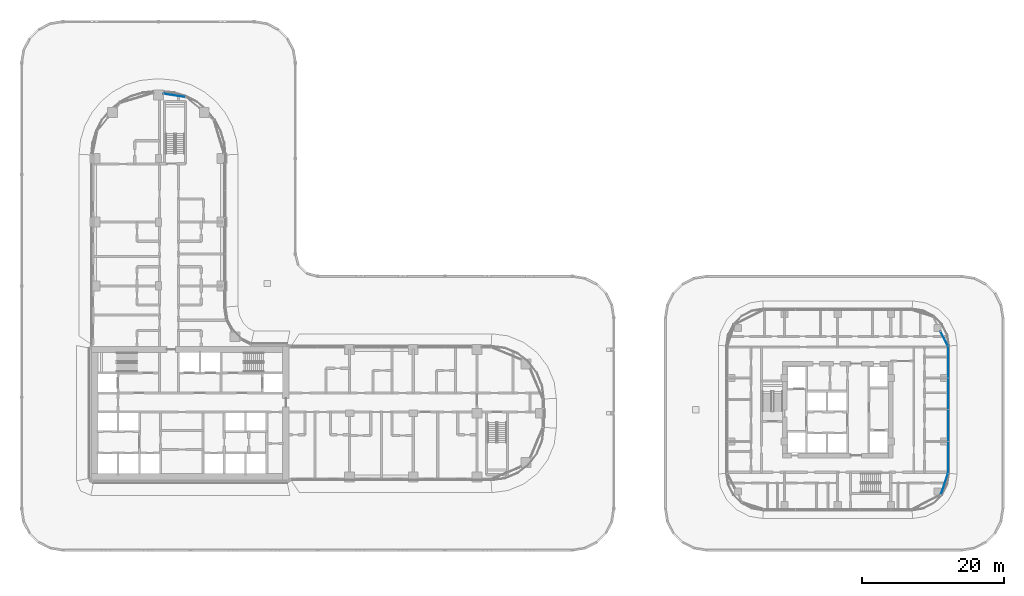
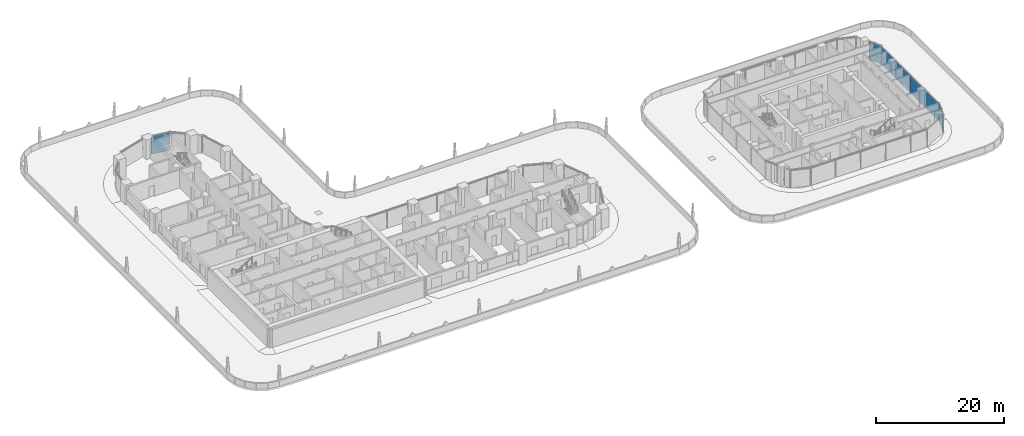
# One storey, part 19 of 51: 7 plates, 4 elements without a shape of their own.
"""IFC4 building model written with IfcOpenShell, lengths in metres."""

from ifc_helpers import new_model, si_unit, direction, frame, origin, origin_2d, place, context, subcontext, project, spatial, rectangle, extrude, material, layer, layer_set, type_object, element, aggregate, save


model = new_model("IFC4")

# Units and contexts
model_context = context("Model", 3, precision=1e-05, world=origin(), true_north=direction((0.0, 1.0)))
body_context = subcontext(model_context, "Body", "Model", "MODEL_VIEW")
ifc_project = project(units=[si_unit("LENGTHUNIT", "METRE"), si_unit("AREAUNIT", "SQUARE_METRE"), si_unit("VOLUMEUNIT", "CUBIC_METRE"), si_unit("PLANEANGLEUNIT", "RADIAN"), si_unit("MASSUNIT", "GRAM", prefix="KILO")], contexts=[model_context])

# Site, building, storey
site_placement = place(None, origin())
site = spatial("IfcSite", under=ifc_project, at=site_placement, CompositionType="ELEMENT")
building_placement = place(site_placement, origin())
building = spatial("IfcBuilding", under=site, at=building_placement, Name="Ogive Portal Towers", CompositionType="ELEMENT")
storey_placement = place(building_placement, frame((0.0, 0.0, 33.5)))
storey = spatial("IfcBuildingStorey", under=building, at=storey_placement, Name="L06", CompositionType="ELEMENT", Elevation=33.5)

# Curtain wall, plate
ifc_material = material(Name="Glass, clear low-iron insulated glazing", Category="glass")
curtain_wall_type_1 = type_object("IfcCurtainWallType", Name="CW FRONT RIBBON 4500", PredefinedType="NOTDEFINED", material=ifc_material)
curtain_wall_1_placement = place(storey_placement, origin())
curtain_wall_1 = element("IfcCurtainWall", 1, at=curtain_wall_1_placement, inside=storey, type_object=curtain_wall_type_1, Name="A:L06:f07:cwa~1", PredefinedType="NOTDEFINED")
ifc_layer = layer(ifc_material, 0.028076171875)
ifc_layer_set = layer_set([ifc_layer], Name="CW PANEL IGU 28")
plate_type = type_object("IfcPlateType", Name="CW PANEL IGU 28", PredefinedType="CURTAIN_PANEL", material=ifc_layer_set)
plate_1_placement = place(storey_placement, frame((42.790771484375, 75.41455078125, 0.0), z_axis=(0.0, 0.0, 1.0), x_axis=(-0.988369166731, 0.15207363432, 0.0)))
plate_1 = element("IfcPlate", 2, at=plate_1_placement, type_object=plate_type, Name="panel", PredefinedType="CURTAIN_PANEL", context=body_context, shape_type="SweptSolid", body=[
    extrude(rectangle(XDim=3.1591796875, YDim=0.028076171875, at=origin_2d()), origin(), (0.0, 0.0, 1.0), 3.340087890625),
])
aggregate(curtain_wall_1, [plate_1])

# Curtain wall, plates
curtain_wall_type_2 = type_object("IfcCurtainWallType", Name="CW RESIDENCES RIBBON", PredefinedType="NOTDEFINED", material=ifc_material)
curtain_wall_2_placement = place(storey_placement, origin())
curtain_wall_2 = element("IfcCurtainWall", 3, at=curtain_wall_2_placement, inside=storey, type_object=curtain_wall_type_2, Name="B:L06:f05:cw0", PredefinedType="NOTDEFINED")
plate_2_placement = place(storey_placement, frame((152.10009765625, 24.25634765625, 0.0), z_axis=(0.0, 0.0, 1.0), x_axis=(0.0, 1.0, 0.0)))
plate_2 = element("IfcPlate", 4, at=plate_2_placement, type_object=plate_type, Name="panel", PredefinedType="CURTAIN_PANEL", context=body_context, shape_type="SweptSolid", body=[
    extrude(rectangle(XDim=4.42724609375, YDim=0.028076171875, at=origin_2d()), origin(), (0.0, 0.0, 1.0), 3.340087890625),
])
plate_3_placement = place(storey_placement, frame((152.10009765625, 28.75, 0.0), z_axis=(0.0, 0.0, 1.0), x_axis=(0.0, 1.0, 0.0)))
plate_3 = element("IfcPlate", 5, at=plate_3_placement, type_object=plate_type, Name="panel", PredefinedType="CURTAIN_PANEL", context=body_context, shape_type="SweptSolid", body=[
    extrude(rectangle(XDim=4.43994140625, YDim=0.028076171875, at=origin_2d()), origin(), (0.0, 0.0, 1.0), 3.340087890625),
])
plate_4_placement = place(storey_placement, frame((152.10009765625, 33.25, 0.0), z_axis=(0.0, 0.0, 1.0), x_axis=(0.0, 1.0, 0.0)))
plate_4 = element("IfcPlate", 6, at=plate_4_placement, type_object=plate_type, Name="panel", PredefinedType="CURTAIN_PANEL", context=body_context, shape_type="SweptSolid", body=[
    extrude(rectangle(XDim=4.43994140625, YDim=0.028076171875, at=origin_2d()), origin(), (0.0, 0.0, 1.0), 3.340087890625),
])
plate_5_placement = place(storey_placement, frame((152.10009765625, 37.740478515625, 0.0), z_axis=(0.0, 0.0, 1.0), x_axis=(0.0, 1.0, 0.0)))
plate_5 = element("IfcPlate", 7, at=plate_5_placement, type_object=plate_type, Name="panel", PredefinedType="CURTAIN_PANEL", context=body_context, shape_type="SweptSolid", body=[
    extrude(rectangle(XDim=4.4208984375, YDim=0.028076171875, at=origin_2d()), origin(), (0.0, 0.0, 1.0), 3.340087890625),
])
aggregate(curtain_wall_2, [plate_2, plate_3, plate_4, plate_5])

# Curtain wall, plate
curtain_wall_3_placement = place(storey_placement, origin())
curtain_wall_3 = element("IfcCurtainWall", 8, at=curtain_wall_3_placement, inside=storey, type_object=curtain_wall_type_2, Name="B:L06:f03:cwa~1", PredefinedType="NOTDEFINED")
plate_6_placement = place(storey_placement, frame((151.599609375, 20.505615234375, 0.0), z_axis=(0.0, 0.0, 1.0), x_axis=(0.315156488428, 0.949039718769, 0.0)))
plate_6 = element("IfcPlate", 9, at=plate_6_placement, type_object=plate_type, Name="panel", PredefinedType="CURTAIN_PANEL", context=body_context, shape_type="SweptSolid", body=[
    extrude(rectangle(XDim=3.1162109375, YDim=0.028076171875, at=origin_2d()), origin(), (0.0, 0.0, 1.0), 3.340087890625),
])
aggregate(curtain_wall_3, [plate_6])

curtain_wall_4_placement = place(storey_placement, origin())
curtain_wall_4 = element("IfcCurtainWall", 10, at=curtain_wall_4_placement, inside=storey, type_object=curtain_wall_type_2, Name="B:L06:f06:cwa~0", PredefinedType="NOTDEFINED")
plate_7_placement = place(storey_placement, frame((151.57080078125, 41.019287109375, 0.0), z_axis=(0.0, 0.0, 1.0), x_axis=(-0.45399049974, 0.891006524188, 0.0)))
plate_7 = element("IfcPlate", 11, at=plate_7_placement, type_object=plate_type, Name="panel", PredefinedType="CURTAIN_PANEL", context=body_context, shape_type="SweptSolid", body=[
    extrude(rectangle(XDim=2.271240234375, YDim=0.028076171875, at=origin_2d()), origin(), (0.0, 0.0, 1.0), 3.340087890625),
])
aggregate(curtain_wall_4, [plate_7])

save(model, "model.ifc")
